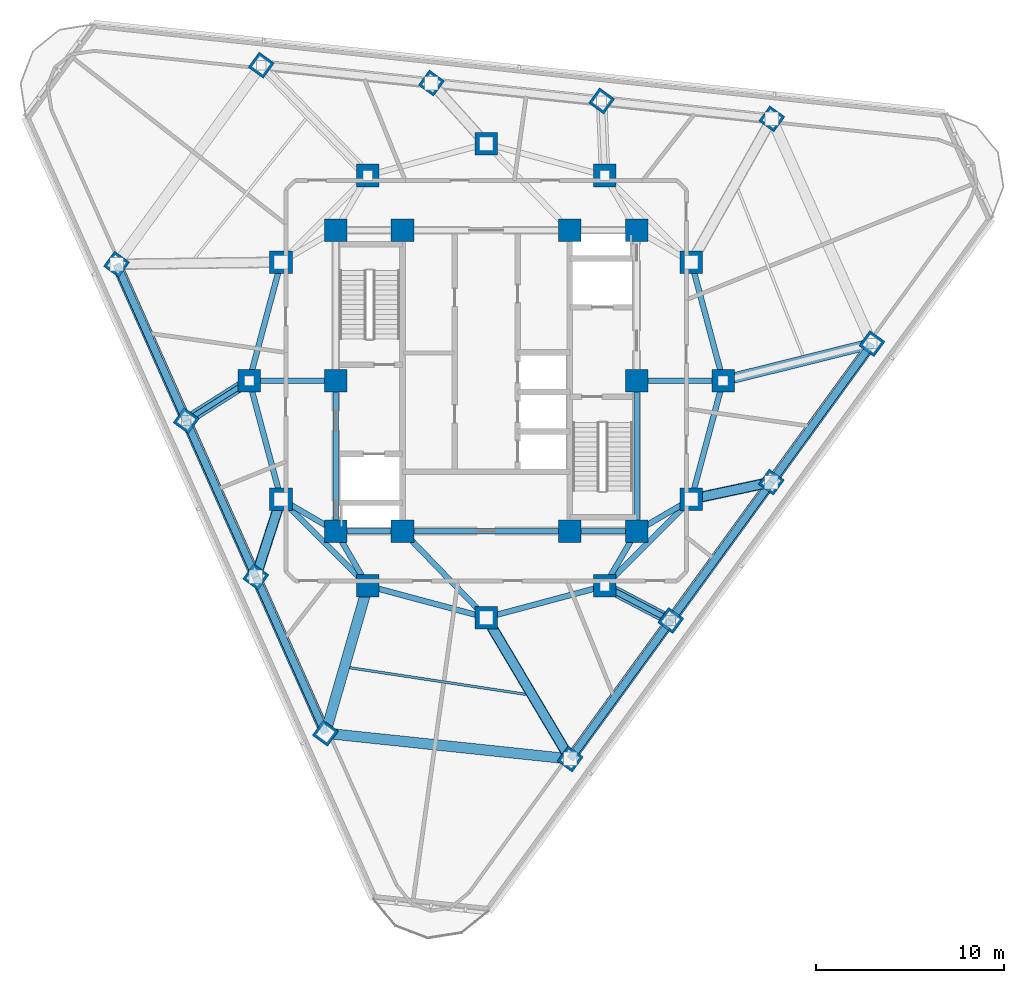
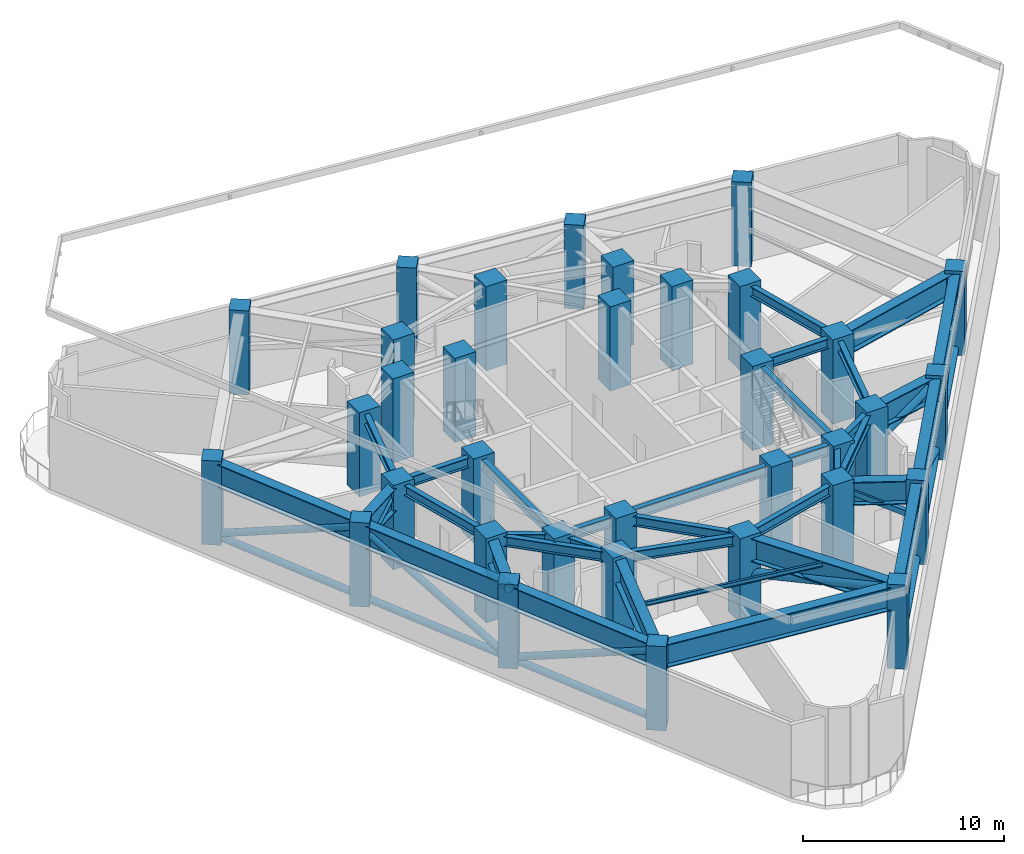
# One storey, part 1 of 10: 35 beams, 34 columns, 17 members.
"""IFC4 building model written with IfcOpenShell, lengths in metres."""

from ifc_helpers import new_model, si_unit, direction, frame, origin, origin_2d, place, context, subcontext, project, spatial, rectangle, hollow_rectangle, hollow_circle, i_section, extrude, material, material_profile, profile_set, type_object, element, save


model = new_model("IFC4")

# Units and contexts
model_context = context("Model", 3, precision=1e-05, world=origin(), true_north=direction((0.0, 1.0)))
body_context = subcontext(model_context, "Body", "Model", "MODEL_VIEW")
ifc_project = project(units=[si_unit("LENGTHUNIT", "METRE"), si_unit("AREAUNIT", "SQUARE_METRE"), si_unit("VOLUMEUNIT", "CUBIC_METRE"), si_unit("PLANEANGLEUNIT", "RADIAN"), si_unit("MASSUNIT", "GRAM", prefix="KILO")], contexts=[model_context])

# Site, building, storey
site_placement = place(None, origin())
site = spatial("IfcSite", under=ifc_project, at=site_placement, CompositionType="ELEMENT")
building_placement = place(site_placement, origin())
building = spatial("IfcBuilding", under=site, at=building_placement, Name="Terralouvre Media Tower", CompositionType="ELEMENT")
storey_placement = place(building_placement, frame((0.0, 0.0, 213.800048828125)))
storey = spatial("IfcBuildingStorey", under=building, at=storey_placement, Name="L55", CompositionType="ELEMENT", Elevation=213.800048828125)

# Columns
ifc_material_1 = material(Name="Concrete C50/60", Category="concrete")
ifc_material_profile_1 = material_profile(ifc_material_1, rectangle(XDim=1.0, YDim=1.0, at=origin_2d()), Name="RC 1000x1000")
ifc_profile_set_1 = profile_set([ifc_material_profile_1], Name="Concrete C50/60")
column_type_1 = type_object("IfcColumnType", Name="Structural Column C-RC1000 (RC 1000x1000)", PredefinedType="COLUMN", material=ifc_profile_set_1)
for number, where, z_axis, x_axis, name in (
    (1, (4.463623046875, -20.115478515625, 0.0), (0.0, 0.0, 1.0), (0.587785252292, 0.809016994375, 0.0), "L55 Perimeter Mega-Column PC11"),
    (2, (9.8125, -12.75341796875, 0.0), (0.0, 0.0, 1.0), (0.587785252292, 0.809016994375, 0.0), "L55 Perimeter Mega-Column PC12"),
    (3, (15.161376953125, -5.391357421875, 0.0), (0.0, 0.0, 1.0), (0.587785252292, 0.809016994375, 0.0), "L55 Perimeter Mega-Column PC13"),
    (4, (20.51025390625, 1.970703125, 0.0), (0.0, 0.0, 1.0), (0.587785252292, 0.809016994375, 0.0), "L55 Perimeter Mega-Column PC14"),
    (5, (15.1884765625, 13.92333984375, 0.0), (0.0, 0.0, 1.0), (0.587785252292, 0.809016994375, 0.0), "L55 Perimeter Mega-Column PC21"),
    (6, (6.138427734375, 14.87451171875, 0.0), (0.0, 0.0, 1.0), (0.587785252292, 0.809016994375, 0.0), "L55 Perimeter Mega-Column PC22"),
    (7, (-2.91162109375, 15.82568359375, 0.0), (0.0, 0.0, 1.0), (0.587785252292, 0.809016994375, 0.0), "L55 Perimeter Mega-Column PC23"),
    (8, (-11.9619140625, 16.77685546875, 0.0), (0.0, 0.0, 1.0), (0.587785252292, 0.809016994375, 0.0), "L55 Perimeter Mega-Column PC24"),
    (9, (-19.65234375, 6.192138671875, 0.0), (0.0, 0.0, 1.0), (0.587785252292, 0.809016994375, 0.0), "L55 Perimeter Mega-Column PC31"),
    (10, (-15.950927734375, -2.121337890625, 0.0), (0.0, 0.0, 1.0), (0.587785252292, 0.809016994375, 0.0), "L55 Perimeter Mega-Column PC32"),
    (11, (-12.249755859375, -10.4345703125, 0.0), (0.0, 0.0, 1.0), (0.587785252292, 0.809016994375, 0.0), "L55 Perimeter Mega-Column PC33"),
    (12, (-8.54833984375, -18.747802734375, 0.0), (0.0, 0.0, 1.0), (0.587785252292, 0.809016994375, 0.0), "L55 Perimeter Mega-Column PC34"),
):
    element("IfcColumn", number, at=place(storey_placement, frame(where, z_axis=z_axis, x_axis=x_axis)), inside=storey, type_object=column_type_1, Name=name, PredefinedType="COLUMN", context=body_context, shape_type="SweptSolid", body=[
        extrude(rectangle(XDim=1.0, YDim=1.0, at=origin_2d()), origin(), (0.0, 0.0, 1.0), 5.099853515625),
    ])
ifc_material_2 = material(Name="Concrete C60/75", Category="concrete")
ifc_material_profile_2 = material_profile(ifc_material_2, rectangle(XDim=1.199951171875, YDim=1.199951171875, at=origin_2d()), Name="RC 1200x1200")
ifc_profile_set_2 = profile_set([ifc_material_profile_2], Name="Concrete C60/75")
column_type_2 = type_object("IfcColumnType", Name="Structural Column C-RC1200 (RC 1200x1200)", PredefinedType="COLUMN", material=ifc_profile_set_2)
for number, where, z_axis, x_axis, name in (
    (13, (-8.0, -8.0, 0.0), (0.0, 0.0, 1.0), (1.0, 0.0, 0.0), "L55 Core Pilaster Column CP1"),
    (14, (-4.449951171875, -8.0, 0.0), (0.0, 0.0, 1.0), (1.0, 0.0, 0.0), "L55 Core Pilaster Column CP2"),
    (15, (4.449951171875, -8.0, 0.0), (0.0, 0.0, 1.0), (1.0, 0.0, 0.0), "L55 Core Pilaster Column CP10"),
    (16, (8.0, -8.0, 0.0), (0.0, 0.0, 1.0), (1.0, 0.0, 0.0), "L55 Core Pilaster Column CP3"),
    (17, (8.0, 0.0, 0.0), (0.0, 0.0, 1.0), (1.0, 0.0, 0.0), "L55 Core Pilaster Column CP4"),
    (18, (8.0, 8.0, 0.0), (0.0, 0.0, 1.0), (1.0, 0.0, 0.0), "L55 Core Pilaster Column CP5"),
    (19, (4.449951171875, 8.0, 0.0), (0.0, 0.0, 1.0), (1.0, 0.0, 0.0), "L55 Core Pilaster Column CP9"),
    (20, (-4.449951171875, 8.0, 0.0), (0.0, 0.0, 1.0), (1.0, 0.0, 0.0), "L55 Core Pilaster Column CP6"),
    (21, (-8.0, 8.0, 0.0), (0.0, 0.0, 1.0), (1.0, 0.0, 0.0), "L55 Core Pilaster Column CP7"),
    (22, (-8.0, 0.0, 0.0), (0.0, 0.0, 1.0), (1.0, 0.0, 0.0), "L55 Core Pilaster Column CP8"),
    (23, (12.60009765625, 0.0, 0.0), (0.0, 0.0, 1.0), (1.0, 0.0, 0.0), "L55 Mega-Frame Column MC01"),
    (24, (10.911865234375, 6.300048828125, 0.0), (0.0, 0.0, 1.0), (1.0, 0.0, 0.0), "L55 Mega-Frame Column MC02"),
    (25, (6.300048828125, 10.911865234375, 0.0), (0.0, 0.0, 1.0), (1.0, 0.0, 0.0), "L55 Mega-Frame Column MC03"),
    (26, (0.0, 12.60009765625, 0.0), (0.0, 0.0, 1.0), (1.0, 0.0, 0.0), "L55 Mega-Frame Column MC04"),
    (27, (-6.300048828125, 10.911865234375, 0.0), (0.0, 0.0, 1.0), (1.0, 0.0, 0.0), "L55 Mega-Frame Column MC05"),
    (28, (-10.911865234375, 6.300048828125, 0.0), (0.0, 0.0, 1.0), (1.0, 0.0, 0.0), "L55 Mega-Frame Column MC06"),
    (29, (-12.60009765625, 0.0, 0.0), (0.0, 0.0, 1.0), (1.0, 0.0, 0.0), "L55 Mega-Frame Column MC07"),
    (30, (-10.911865234375, -6.300048828125, 0.0), (0.0, 0.0, 1.0), (1.0, 0.0, 0.0), "L55 Mega-Frame Column MC08"),
    (31, (-6.300048828125, -10.911865234375, 0.0), (0.0, 0.0, 1.0), (1.0, 0.0, 0.0), "L55 Mega-Frame Column MC09"),
    (32, (0.0, -12.60009765625, 0.0), (0.0, 0.0, 1.0), (1.0, 0.0, 0.0), "L55 Mega-Frame Column MC10"),
    (33, (6.300048828125, -10.911865234375, 0.0), (0.0, 0.0, 1.0), (1.0, 0.0, 0.0), "L55 Mega-Frame Column MC11"),
    (34, (10.911865234375, -6.300048828125, 0.0), (0.0, 0.0, 1.0), (1.0, 0.0, 0.0), "L55 Mega-Frame Column MC12"),
):
    element("IfcColumn", number, at=place(storey_placement, frame(where, z_axis=z_axis, x_axis=x_axis)), inside=storey, type_object=column_type_2, Name=name, PredefinedType="COLUMN", context=body_context, shape_type="SweptSolid", body=[
        extrude(rectangle(XDim=1.199951171875, YDim=1.199951171875, at=origin_2d()), origin(), (0.0, 0.0, 1.0), 5.099853515625),
    ])

# Members
ifc_material_3 = material(Name="Structural steel S460M", Category="steel")
ifc_material_profile_3 = material_profile(ifc_material_3, hollow_circle(Radius=0.203125, WallThickness=0.02001953125, at=origin_2d()), Name="CHS 406.4x20")
ifc_profile_set_3 = profile_set([ifc_material_profile_3], Name="Structural steel S460M")
member_type_1 = type_object("IfcMemberType", Name="Belt and Outrigger Brace BR-CHS406 (CHS 406.4x20)", PredefinedType="BRACE", material=ifc_profile_set_3)
for number, where, z_axis, x_axis, name in (
    (35, (4.463623046875, -20.115478515625, 0.349853515625), (0.533682770176, 0.734547625845, 0.41907336611), (-0.809015590153, 0.587787185033, 0.0), "L55 Belt-Truss Diagonal Brace BT01"),
    (36, (9.8125, -12.75341796875, 4.550048828125), (0.533682770176, 0.734547625845, -0.41907336611), (-0.809015590153, 0.587787185033, 0.0), "L55 Belt-Truss Diagonal Brace BT02"),
    (37, (15.161376953125, -5.391357421875, 0.349853515625), (0.533682770176, 0.734547625845, 0.41907336611), (-0.809015590153, 0.587787185033, 0.0), "L55 Belt-Truss Diagonal Brace BT03"),
):
    element("IfcMember", number, at=place(storey_placement, frame(where, z_axis=z_axis, x_axis=x_axis)), inside=storey, type_object=member_type_1, Name=name, PredefinedType="BRACE", context=body_context, shape_type="SweptSolid", body=[
        extrude(hollow_circle(Radius=0.203125, WallThickness=0.02001953125, at=origin_2d()), origin(), (0.0, 0.0, 1.0), 10.0224609375),
    ])
member_1_placement = place(storey_placement, frame((-19.65234375, 6.192138671875, 0.349853515625), z_axis=(0.369300528749, -0.829458584853, 0.41906512081), x_axis=(0.913544731854, 0.406738273219, 0.0)))
element("IfcMember", 38, at=member_1_placement, inside=storey, type_object=member_type_1, Name="L55 Belt-Truss Diagonal Brace BT07", PredefinedType="BRACE", context=body_context, shape_type="SweptSolid", body=[
    extrude(hollow_circle(Radius=0.203125, WallThickness=0.02001953125, at=origin_2d()), origin(), (0.0, 0.0, 1.0), 10.022705078125),
])
for number, where, z_axis, x_axis, name in (
    (39, (-15.950927734375, -2.121337890625, 4.550048828125), (0.369286953308, -0.829458446379, -0.419077357831), (0.913550262211, 0.406725851667, 0.0), "L55 Belt-Truss Diagonal Brace BT08"),
    (40, (-12.249755859375, -10.4345703125, 0.349853515625), (0.369307990375, -0.829450984781, 0.419073587918), (0.913540293385, 0.40674824199, 0.0), "L55 Belt-Truss Diagonal Brace BT09"),
):
    element("IfcMember", number, at=place(storey_placement, frame(where, z_axis=z_axis, x_axis=x_axis)), inside=storey, type_object=member_type_1, Name=name, PredefinedType="BRACE", context=body_context, shape_type="SweptSolid", body=[
        extrude(hollow_circle(Radius=0.203125, WallThickness=0.02001953125, at=origin_2d()), origin(), (0.0, 0.0, 1.0), 10.0224609375),
    ])
ifc_material_4 = material(Name="Structural steel S460M", Category="steel")
ifc_material_profile_4 = material_profile(ifc_material_4, hollow_circle(Radius=0.25390625, WallThickness=0.02490234375, at=origin_2d()), Name="CHS 508x25")
ifc_profile_set_4 = profile_set([ifc_material_profile_4], Name="Structural steel S460M")
member_type_2 = type_object("IfcMemberType", Name="Belt and Outrigger Brace BR-CHS508 (CHS 508x25)", PredefinedType="BRACE", material=ifc_profile_set_4)
member_2_placement = place(storey_placement, frame((0.0, -12.60009765625, 2.550048828125), z_axis=(0.497790159186, -0.838126919555, 0.223043099275), x_axis=(0.859786149942, 0.510654263047, 0.0)))
element("IfcMember", 41, at=member_2_placement, inside=storey, type_object=member_type_2, Name="L55 Outrigger Diagonal Brace OR01", PredefinedType="BRACE", context=body_context, shape_type="SweptSolid", body=[
    extrude(hollow_circle(Radius=0.25390625, WallThickness=0.02490234375, at=origin_2d()), origin(), (0.0, 0.0, 1.0), 8.966796875),
])
for number, where, z_axis, x_axis, name in (
    (42, (10.911865234375, -6.300048828125, 2.550048828125), (0.888326050614, 0.189954588095, 0.418083822052), (-0.209107023871, 0.977892761282, 0.0), "L55 Outrigger Diagonal Brace OR02"),
    (43, (-10.911865234375, -6.300048828125, 2.550048828125), (-0.279674300612, -0.864285452713, 0.418082458141), (0.951427579183, -0.307872638555, 0.0), "L55 Outrigger Diagonal Brace OR06"),
):
    element("IfcMember", number, at=place(storey_placement, frame(where, z_axis=z_axis, x_axis=x_axis)), inside=storey, type_object=member_type_2, Name=name, PredefinedType="BRACE", context=body_context, shape_type="SweptSolid", body=[
        extrude(hollow_circle(Radius=0.25390625, WallThickness=0.02490234375, at=origin_2d()), origin(), (0.0, 0.0, 1.0), 4.78369140625),
    ])

# Beam
ifc_material_5 = material(Name="Structural steel S355J2", Category="steel")
ifc_material_profile_5 = material_profile(ifc_material_5, i_section(OverallWidth=0.135009765625, OverallDepth=0.27001953125, WebThickness=0.006591796875, FlangeThickness=0.01025390625, at=origin_2d()), Name="IPE 270")
ifc_profile_set_5 = profile_set([ifc_material_profile_5], Name="Structural steel S355J2")
beam_type_1 = type_object("IfcBeamType", Name="Composite Floor Joist J-IPE270 (IPE 270)", PredefinedType="JOIST", material=ifc_profile_set_5)
beam_1_placement = place(storey_placement, frame((-7.25927734375, -15.263671875, 4.764892578125), z_axis=(0.988745585287, -0.149606709659, 0.0), x_axis=(0.149606709659, 0.988745585287, 0.0)))
element("IfcBeam", 44, at=beam_1_placement, inside=storey, type_object=beam_type_1, Name="L55 Framing Beam JT-L55-01", PredefinedType="JOIST", context=body_context, shape_type="SweptSolid", body=[
    extrude(i_section(OverallWidth=0.135009765625, OverallDepth=0.27001953125, WebThickness=0.006591796875, FlangeThickness=0.01025390625, at=origin_2d()), origin(), (0.0, 0.0, 1.0), 9.46484375),
])

# Members
ifc_material_6 = material(Name="Structural steel S355J2", Category="steel")
ifc_material_profile_6 = material_profile(ifc_material_6, hollow_circle(Radius=0.136474609375, WallThickness=0.012451171875, at=origin_2d()), Name="CHS 273x12.5")
ifc_profile_set_6 = profile_set([ifc_material_profile_6], Name="Structural steel S355J2")
member_type_3 = type_object("IfcMemberType", Name="Portal Knee-Brace Strut ST-CHS273 (CHS 273x12.5)", PredefinedType="STRUT", material=ifc_profile_set_6)
member_3_placement = place(storey_placement, frame((-12.60009765625, 0.0, 4.550048828125), z_axis=(-0.754413360958, -0.477602746329, -0.450284462876), x_axis=(0.534898293373, -0.844916454891, 0.0)))
element("IfcMember", 45, at=member_3_placement, inside=storey, type_object=member_type_3, Name="L55 Refuge Outrigger Knee-Brace Strut 15", PredefinedType="STRUT", context=body_context, shape_type="SweptSolid", body=[
    extrude(hollow_circle(Radius=0.136474609375, WallThickness=0.012451171875, at=origin_2d()), origin(), (0.0, 0.0, 1.0), 4.441650390625),
])
ifc_material_7 = material(Name="Structural steel S355J2", Category="steel")
ifc_material_profile_7 = material_profile(ifc_material_7, hollow_rectangle(XDim=0.300048828125, YDim=0.300048828125, WallThickness=0.01611328125, at=origin_2d()), Name="SHS 300x300x16")
ifc_profile_set_7 = profile_set([ifc_material_profile_7], Name="Structural steel S355J2")
member_type_4 = type_object("IfcMemberType", Name="Portal Knee-Brace Strut ST-SHS300 (SHS 300x300x16)", PredefinedType="STRUT", material=ifc_profile_set_7)
member_4_placement = place(storey_placement, frame((6.300048828125, -10.911865234375, 4.550048828125), z_axis=(0.790791212906, -0.414606111, -0.45027883618), x_axis=(0.464342799794, 0.885655556229, 0.0)))
element("IfcMember", 46, at=member_4_placement, inside=storey, type_object=member_type_4, Name="L55 Refuge Outrigger Knee-Brace Strut 11", PredefinedType="STRUT", context=body_context, shape_type="SweptSolid", body=[
    extrude(hollow_rectangle(XDim=0.300048828125, YDim=0.300048828125, WallThickness=0.01611328125, at=origin_2d()), origin(), (0.0, 0.0, 1.0), 4.441650390625),
])

# Beams
ifc_material_8 = material(Name="Structural steel S460M", Category="steel")
ifc_material_profile_8 = material_profile(ifc_material_8, i_section(OverallWidth=0.300048828125, OverallDepth=0.60009765625, WebThickness=0.015380859375, FlangeThickness=0.030029296875, at=origin_2d()), Name="HEB 600")
ifc_profile_set_8 = profile_set([ifc_material_profile_8], Name="Structural steel S460M")
beam_type_2 = type_object("IfcBeamType", Name="Primary Floor Girder B-HEB600 (HEB 600)", PredefinedType="BEAM", material=ifc_profile_set_8)
beam_2_placement = place(storey_placement, frame((-8.0, -8.0, 4.599853515625), z_axis=(1.0, 0.0, 0.0), x_axis=(0.0, 1.0, 0.0)))
element("IfcBeam", 47, at=beam_2_placement, inside=storey, type_object=beam_type_2, Name="L55 Framing Beam BM-L55-CPR01", PredefinedType="BEAM", context=body_context, shape_type="SweptSolid", body=[
    extrude(i_section(OverallWidth=0.300048828125, OverallDepth=0.60009765625, WebThickness=0.015380859375, FlangeThickness=0.030029296875, at=origin_2d()), origin(), (0.0, 0.0, 1.0), 3.550048828125),
])
beam_3_placement = place(storey_placement, frame((-4.449951171875, -8.0, 4.599853515625), z_axis=(1.0, 0.0, 0.0), x_axis=(0.0, 1.0, 0.0)))
element("IfcBeam", 48, at=beam_3_placement, inside=storey, type_object=beam_type_2, Name="L55 Framing Beam BM-L55-CPR02", PredefinedType="BEAM", context=body_context, shape_type="SweptSolid", body=[
    extrude(i_section(OverallWidth=0.300048828125, OverallDepth=0.60009765625, WebThickness=0.015380859375, FlangeThickness=0.030029296875, at=origin_2d()), origin(), (0.0, 0.0, 1.0), 8.89990234375),
])
beam_4_placement = place(storey_placement, frame((4.449951171875, -8.0, 4.599853515625), z_axis=(1.0, 0.0, 0.0), x_axis=(0.0, 1.0, 0.0)))
element("IfcBeam", 49, at=beam_4_placement, inside=storey, type_object=beam_type_2, Name="L55 Framing Beam BM-L55-CPR03", PredefinedType="BEAM", context=body_context, shape_type="SweptSolid", body=[
    extrude(i_section(OverallWidth=0.300048828125, OverallDepth=0.60009765625, WebThickness=0.015380859375, FlangeThickness=0.030029296875, at=origin_2d()), origin(), (0.0, 0.0, 1.0), 3.550048828125),
])
for number, where, z_axis, x_axis, name in (
    (50, (8.0, -8.0, 4.599853515625), (0.0, 1.0, 0.0), (-1.0, 0.0, 0.0), "L55 Framing Beam BM-L55-CPR04"),
    (51, (-8.0, 0.0, 4.599853515625), (0.0, -1.0, 0.0), (1.0, 0.0, 0.0), "L55 Framing Beam BM-L55-CPR10"),
):
    element("IfcBeam", number, at=place(storey_placement, frame(where, z_axis=z_axis, x_axis=x_axis)), inside=storey, type_object=beam_type_2, Name=name, PredefinedType="BEAM", context=body_context, shape_type="SweptSolid", body=[
        extrude(i_section(OverallWidth=0.300048828125, OverallDepth=0.60009765625, WebThickness=0.015380859375, FlangeThickness=0.030029296875, at=origin_2d()), origin(), (0.0, 0.0, 1.0), 8.0),
    ])
beam_5_placement = place(storey_placement, frame((-10.911865234375, -6.300048828125, 4.599853515625), z_axis=(0.707106781187, -0.707106781187, 0.0), x_axis=(0.707106781187, 0.707106781187, 0.0)))
element("IfcBeam", 52, at=beam_5_placement, inside=storey, type_object=beam_type_2, Name="L55 Framing Beam BM-L55-MR01", PredefinedType="BEAM", context=body_context, shape_type="SweptSolid", body=[
    extrude(i_section(OverallWidth=0.300048828125, OverallDepth=0.60009765625, WebThickness=0.015380859375, FlangeThickness=0.030029296875, at=origin_2d()), origin(), (0.0, 0.0, 1.0), 6.52197265625),
])
for number, where, z_axis, x_axis, name in (
    (53, (-6.300048828125, -10.911865234375, 4.599853515625), (0.965920481897, -0.258838989821, 0.0), (0.258838989821, 0.965920481897, 0.0), "L55 Framing Beam BM-L55-MR02"),
    (54, (0.0, -12.60009765625, 4.599853515625), (0.965920481897, 0.258838989821, 0.0), (-0.258838989821, 0.965920481897, 0.0), "L55 Framing Beam BM-L55-MR03"),
):
    element("IfcBeam", number, at=place(storey_placement, frame(where, z_axis=z_axis, x_axis=x_axis)), inside=storey, type_object=beam_type_2, Name=name, PredefinedType="BEAM", context=body_context, shape_type="SweptSolid", body=[
        extrude(i_section(OverallWidth=0.300048828125, OverallDepth=0.60009765625, WebThickness=0.015380859375, FlangeThickness=0.030029296875, at=origin_2d()), origin(), (0.0, 0.0, 1.0), 6.522216796875),
    ])
beam_6_placement = place(storey_placement, frame((6.300048828125, -10.911865234375, 4.599853515625), z_axis=(0.707106781187, 0.707106781187, 0.0), x_axis=(-0.707106781187, 0.707106781187, 0.0)))
element("IfcBeam", 55, at=beam_6_placement, inside=storey, type_object=beam_type_2, Name="L55 Framing Beam BM-L55-MR04", PredefinedType="BEAM", context=body_context, shape_type="SweptSolid", body=[
    extrude(i_section(OverallWidth=0.300048828125, OverallDepth=0.60009765625, WebThickness=0.015380859375, FlangeThickness=0.030029296875, at=origin_2d()), origin(), (0.0, 0.0, 1.0), 6.52197265625),
])
for number, where, z_axis, x_axis, name in (
    (56, (10.911865234375, -6.300048828125, 4.599853515625), (0.258838989821, 0.965920481897, 0.0), (-0.965920481897, 0.258838989821, 0.0), "L55 Framing Beam BM-L55-MR05"),
    (57, (12.60009765625, 0.0, 4.599853515625), (-0.258838989821, 0.965920481897, 0.0), (-0.965920481897, -0.258838989821, 0.0), "L55 Framing Beam BM-L55-MR06"),
    (58, (-10.911865234375, 6.300048828125, 4.599853515625), (-0.258838989821, -0.965920481897, 0.0), (0.965920481897, -0.258838989821, 0.0), "L55 Framing Beam BM-L55-MR11"),
    (59, (-12.60009765625, 0.0, 4.599853515625), (0.258838989821, -0.965920481897, 0.0), (0.965920481897, 0.258838989821, 0.0), "L55 Framing Beam BM-L55-MR12"),
):
    element("IfcBeam", number, at=place(storey_placement, frame(where, z_axis=z_axis, x_axis=x_axis)), inside=storey, type_object=beam_type_2, Name=name, PredefinedType="BEAM", context=body_context, shape_type="SweptSolid", body=[
        extrude(i_section(OverallWidth=0.300048828125, OverallDepth=0.60009765625, WebThickness=0.015380859375, FlangeThickness=0.030029296875, at=origin_2d()), origin(), (0.0, 0.0, 1.0), 6.522216796875),
    ])
for number, where, z_axis, x_axis, name in (
    (60, (-8.0, -8.0, 4.599853515625), (-0.863602894532, 0.504172629717, 0.0), (-0.504172629717, -0.863602894532, 0.0), "L55 Framing Beam BM-L55-CM01"),
    (61, (-8.0, -8.0, 4.599853515625), (0.504172629717, -0.863602894532, 0.0), (0.863602894532, 0.504172629717, 0.0), "L55 Framing Beam BM-L55-CM02"),
):
    element("IfcBeam", number, at=place(storey_placement, frame(where, z_axis=z_axis, x_axis=x_axis)), inside=storey, type_object=beam_type_2, Name=name, PredefinedType="BEAM", context=body_context, shape_type="SweptSolid", body=[
        extrude(i_section(OverallWidth=0.300048828125, OverallDepth=0.60009765625, WebThickness=0.015380859375, FlangeThickness=0.030029296875, at=origin_2d()), origin(), (0.0, 0.0, 1.0), 3.371826171875),
    ])
beam_7_placement = place(storey_placement, frame((-4.449951171875, -8.0, 4.599853515625), z_axis=(0.695279715726, -0.718739255155, 0.0), x_axis=(0.718739255155, 0.695279715726, 0.0)))
element("IfcBeam", 62, at=beam_7_placement, inside=storey, type_object=beam_type_2, Name="L55 Framing Beam BM-L55-CM03", PredefinedType="BEAM", context=body_context, shape_type="SweptSolid", body=[
    extrude(i_section(OverallWidth=0.300048828125, OverallDepth=0.60009765625, WebThickness=0.015380859375, FlangeThickness=0.030029296875, at=origin_2d()), origin(), (0.0, 0.0, 1.0), 6.400146484375),
])
for number, where, z_axis, x_axis, name in (
    (63, (8.0, -8.0, 4.599853515625), (-0.504172629717, -0.863602894532, 0.0), (0.863602894532, -0.504172629717, 0.0), "L55 Framing Beam BM-L55-CM04"),
    (64, (8.0, -8.0, 4.599853515625), (0.863602894532, 0.504172629717, 0.0), (-0.504172629717, 0.863602894532, 0.0), "L55 Framing Beam BM-L55-CM05"),
):
    element("IfcBeam", number, at=place(storey_placement, frame(where, z_axis=z_axis, x_axis=x_axis)), inside=storey, type_object=beam_type_2, Name=name, PredefinedType="BEAM", context=body_context, shape_type="SweptSolid", body=[
        extrude(i_section(OverallWidth=0.300048828125, OverallDepth=0.60009765625, WebThickness=0.015380859375, FlangeThickness=0.030029296875, at=origin_2d()), origin(), (0.0, 0.0, 1.0), 3.371826171875),
    ])
for number, where, z_axis, x_axis, name in (
    (65, (8.0, 0.0, 4.599853515625), (1.0, 0.0, 0.0), (0.0, 1.0, 0.0), "L55 Framing Beam BM-L55-CM06"),
    (66, (-8.0, 0.0, 4.599853515625), (-1.0, 0.0, 0.0), (0.0, -1.0, 0.0), "L55 Framing Beam BM-L55-CM12"),
):
    element("IfcBeam", number, at=place(storey_placement, frame(where, z_axis=z_axis, x_axis=x_axis)), inside=storey, type_object=beam_type_2, Name=name, PredefinedType="BEAM", context=body_context, shape_type="SweptSolid", body=[
        extrude(i_section(OverallWidth=0.300048828125, OverallDepth=0.60009765625, WebThickness=0.015380859375, FlangeThickness=0.030029296875, at=origin_2d()), origin(), (0.0, 0.0, 1.0), 4.60009765625),
    ])

# Members
ifc_material_9 = material(Name="Structural steel S460M", Category="steel")
ifc_material_profile_9 = material_profile(ifc_material_9, hollow_circle(Radius=0.203125, WallThickness=0.02001953125, at=origin_2d()), Name="CHS 406.4x20")
ifc_profile_set_9 = profile_set([ifc_material_profile_9], Name="Structural steel S460M")
member_type_5 = type_object("IfcMemberType", Name="Truss Chord Member CH-CHS406 (CHS 406.4x20)", PredefinedType="CHORD", material=ifc_profile_set_9)
for number, where, z_axis, x_axis, name in (
    (67, (4.463623046875, -20.115478515625, 0.349853515625), (0.587787185033, 0.809015590153, 0.0), (-0.809015590153, 0.587787185033, 0.0), "L55 Belt-Truss Bottom Chord 01"),
    (68, (9.8125, -12.75341796875, 0.349853515625), (0.587787185033, 0.809015590153, 0.0), (-0.809015590153, 0.587787185033, 0.0), "L55 Belt-Truss Bottom Chord 02"),
    (69, (15.161376953125, -5.391357421875, 0.349853515625), (0.587787185033, 0.809015590153, 0.0), (-0.809015590153, 0.587787185033, 0.0), "L55 Belt-Truss Bottom Chord 03"),
):
    element("IfcMember", number, at=place(storey_placement, frame(where, z_axis=z_axis, x_axis=x_axis)), inside=storey, type_object=member_type_5, Name=name, PredefinedType="CHORD", context=body_context, shape_type="SweptSolid", body=[
        extrude(hollow_circle(Radius=0.203125, WallThickness=0.02001953125, at=origin_2d()), origin(), (0.0, 0.0, 1.0), 9.10009765625),
    ])
member_5_placement = place(storey_placement, frame((-19.65234375, 6.192138671875, 0.349853515625), z_axis=(0.406738273219, -0.913544731854, 0.0), x_axis=(0.913544731854, 0.406738273219, 0.0)))
element("IfcMember", 70, at=member_5_placement, inside=storey, type_object=member_type_5, Name="L55 Belt-Truss Bottom Chord 07", PredefinedType="CHORD", context=body_context, shape_type="SweptSolid", body=[
    extrude(hollow_circle(Radius=0.203125, WallThickness=0.02001953125, at=origin_2d()), origin(), (0.0, 0.0, 1.0), 9.100341796875),
])
member_6_placement = place(storey_placement, frame((-15.950927734375, -2.121337890625, 0.349853515625), z_axis=(0.406725851667, -0.913550262211, 0.0), x_axis=(0.913550262211, 0.406725851667, 0.0)))
element("IfcMember", 71, at=member_6_placement, inside=storey, type_object=member_type_5, Name="L55 Belt-Truss Bottom Chord 08", PredefinedType="CHORD", context=body_context, shape_type="SweptSolid", body=[
    extrude(hollow_circle(Radius=0.203125, WallThickness=0.02001953125, at=origin_2d()), origin(), (0.0, 0.0, 1.0), 9.099853515625),
])
member_7_placement = place(storey_placement, frame((-12.249755859375, -10.4345703125, 0.349853515625), z_axis=(0.40674824199, -0.913540293385, 0.0), x_axis=(0.913540293385, 0.40674824199, 0.0)))
element("IfcMember", 72, at=member_7_placement, inside=storey, type_object=member_type_5, Name="L55 Belt-Truss Bottom Chord 09", PredefinedType="CHORD", context=body_context, shape_type="SweptSolid", body=[
    extrude(hollow_circle(Radius=0.203125, WallThickness=0.02001953125, at=origin_2d()), origin(), (0.0, 0.0, 1.0), 9.10009765625),
])

# Beams
ifc_material_10 = material(Name="Structural steel S460M", Category="steel")
ifc_material_profile_10 = material_profile(ifc_material_10, i_section(OverallWidth=0.56005859375, OverallDepth=1.39990234375, WebThickness=0.031982421875, FlangeThickness=0.050048828125, at=origin_2d()), Name="TG 1400x560")
ifc_profile_set_10 = profile_set([ifc_material_profile_10], Name="Structural steel S460M")
beam_type_3 = type_object("IfcBeamType", Name="Welded Transfer Girder TG-1400 (TG 1400x560)", PredefinedType="USERDEFINED", material=ifc_profile_set_10)
beam_8_placement = place(storey_placement, frame((-15.950927734375, -2.121337890625, 4.199951171875), z_axis=(0.406725851667, -0.913550262211, 0.0), x_axis=(0.913550262211, 0.406725851667, 0.0)))
element("IfcBeam", 73, at=beam_8_placement, inside=storey, type_object=beam_type_3, Name="L55 Framing Beam BM-L55-PR01", ObjectType="TRANSFER GIRDER", PredefinedType="USERDEFINED", context=body_context, shape_type="SweptSolid", body=[
    extrude(i_section(OverallWidth=0.56005859375, OverallDepth=1.39990234375, WebThickness=0.031982421875, FlangeThickness=0.050048828125, at=origin_2d()), origin(), (0.0, 0.0, 1.0), 9.099853515625),
])
beam_9_placement = place(storey_placement, frame((-12.249755859375, -10.4345703125, 4.199951171875), z_axis=(0.40674824199, -0.913540293385, 0.0), x_axis=(0.913540293385, 0.40674824199, 0.0)))
element("IfcBeam", 74, at=beam_9_placement, inside=storey, type_object=beam_type_3, Name="L55 Framing Beam BM-L55-PR02", ObjectType="TRANSFER GIRDER", PredefinedType="USERDEFINED", context=body_context, shape_type="SweptSolid", body=[
    extrude(i_section(OverallWidth=0.56005859375, OverallDepth=1.39990234375, WebThickness=0.031982421875, FlangeThickness=0.050048828125, at=origin_2d()), origin(), (0.0, 0.0, 1.0), 9.10009765625),
])
beam_10_placement = place(storey_placement, frame((-8.54833984375, -18.747802734375, 4.199951171875), z_axis=(0.994521391833, -0.104533253974, 0.0), x_axis=(0.104533253974, 0.994521391833, 0.0)))
element("IfcBeam", 75, at=beam_10_placement, inside=storey, type_object=beam_type_3, Name="L55 Framing Beam BM-L55-PR03", ObjectType="TRANSFER GIRDER", PredefinedType="USERDEFINED", context=body_context, shape_type="SweptSolid", body=[
    extrude(i_section(OverallWidth=0.56005859375, OverallDepth=1.39990234375, WebThickness=0.031982421875, FlangeThickness=0.050048828125, at=origin_2d()), origin(), (0.0, 0.0, 1.0), 13.083740234375),
])
for number, where, z_axis, x_axis, name in (
    (76, (4.463623046875, -20.115478515625, 4.199951171875), (0.587787185033, 0.809015590153, 0.0), (-0.809015590153, 0.587787185033, 0.0), "L55 Framing Beam BM-L55-PR04"),
    (77, (9.8125, -12.75341796875, 4.199951171875), (0.587787185033, 0.809015590153, 0.0), (-0.809015590153, 0.587787185033, 0.0), "L55 Framing Beam BM-L55-PR05"),
    (78, (15.161376953125, -5.391357421875, 4.199951171875), (0.587787185033, 0.809015590153, 0.0), (-0.809015590153, 0.587787185033, 0.0), "L55 Framing Beam BM-L55-PR06"),
):
    element("IfcBeam", number, at=place(storey_placement, frame(where, z_axis=z_axis, x_axis=x_axis)), inside=storey, type_object=beam_type_3, Name=name, ObjectType="TRANSFER GIRDER", PredefinedType="USERDEFINED", context=body_context, shape_type="SweptSolid", body=[
        extrude(i_section(OverallWidth=0.56005859375, OverallDepth=1.39990234375, WebThickness=0.031982421875, FlangeThickness=0.050048828125, at=origin_2d()), origin(), (0.0, 0.0, 1.0), 9.10009765625),
    ])
beam_11_placement = place(storey_placement, frame((-19.65234375, 6.192138671875, 4.199951171875), z_axis=(0.406738273219, -0.913544731854, 0.0), x_axis=(0.913544731854, 0.406738273219, 0.0)))
element("IfcBeam", 79, at=beam_11_placement, inside=storey, type_object=beam_type_3, Name="L55 Framing Beam BM-L55-PR12", ObjectType="TRANSFER GIRDER", PredefinedType="USERDEFINED", context=body_context, shape_type="SweptSolid", body=[
    extrude(i_section(OverallWidth=0.56005859375, OverallDepth=1.39990234375, WebThickness=0.031982421875, FlangeThickness=0.050048828125, at=origin_2d()), origin(), (0.0, 0.0, 1.0), 9.100341796875),
])
beam_12_placement = place(storey_placement, frame((-12.60009765625, 0.0, 4.199951171875), z_axis=(-0.844916454891, -0.534898293373, 0.0), x_axis=(0.534898293373, -0.844916454891, 0.0)))
element("IfcBeam", 80, at=beam_12_placement, inside=storey, type_object=beam_type_3, Name="L55 Framing Beam BM-L55-RD01", ObjectType="TRANSFER GIRDER", PredefinedType="USERDEFINED", context=body_context, shape_type="SweptSolid", body=[
    extrude(i_section(OverallWidth=0.56005859375, OverallDepth=1.39990234375, WebThickness=0.031982421875, FlangeThickness=0.050048828125, at=origin_2d()), origin(), (0.0, 0.0, 1.0), 3.9658203125),
])
beam_13_placement = place(storey_placement, frame((-10.911865234375, -6.300048828125, 4.199951171875), z_axis=(-0.307872638555, -0.951427579183, 0.0), x_axis=(0.951427579183, -0.307872638555, 0.0)))
element("IfcBeam", 81, at=beam_13_placement, inside=storey, type_object=beam_type_3, Name="L55 Framing Beam BM-L55-RD02", ObjectType="TRANSFER GIRDER", PredefinedType="USERDEFINED", context=body_context, shape_type="SweptSolid", body=[
    extrude(i_section(OverallWidth=0.56005859375, OverallDepth=1.39990234375, WebThickness=0.031982421875, FlangeThickness=0.050048828125, at=origin_2d()), origin(), (0.0, 0.0, 1.0), 4.345703125),
])
beam_14_placement = place(storey_placement, frame((-6.300048828125, -10.911865234375, 4.199951171875), z_axis=(-0.275792876342, -0.96121708753, 0.0), x_axis=(0.96121708753, -0.275792876342, 0.0)))
element("IfcBeam", 82, at=beam_14_placement, inside=storey, type_object=beam_type_3, Name="L55 Framing Beam BM-L55-RD03", ObjectType="TRANSFER GIRDER", PredefinedType="USERDEFINED", context=body_context, shape_type="SweptSolid", body=[
    extrude(i_section(OverallWidth=0.56005859375, OverallDepth=1.39990234375, WebThickness=0.031982421875, FlangeThickness=0.050048828125, at=origin_2d()), origin(), (0.0, 0.0, 1.0), 8.152099609375),
])
beam_15_placement = place(storey_placement, frame((0.0, -12.60009765625, 4.199951171875), z_axis=(0.510654263047, -0.859786149942, 0.0), x_axis=(0.859786149942, 0.510654263047, 0.0)))
element("IfcBeam", 83, at=beam_15_placement, inside=storey, type_object=beam_type_3, Name="L55 Framing Beam BM-L55-RD04", ObjectType="TRANSFER GIRDER", PredefinedType="USERDEFINED", context=body_context, shape_type="SweptSolid", body=[
    extrude(i_section(OverallWidth=0.56005859375, OverallDepth=1.39990234375, WebThickness=0.031982421875, FlangeThickness=0.050048828125, at=origin_2d()), origin(), (0.0, 0.0, 1.0), 8.740966796875),
])
beam_16_placement = place(storey_placement, frame((6.300048828125, -10.911865234375, 4.199951171875), z_axis=(0.885655556229, -0.464342799794, 0.0), x_axis=(0.464342799794, 0.885655556229, 0.0)))
element("IfcBeam", 84, at=beam_16_placement, inside=storey, type_object=beam_type_3, Name="L55 Framing Beam BM-L55-RD05", ObjectType="TRANSFER GIRDER", PredefinedType="USERDEFINED", context=body_context, shape_type="SweptSolid", body=[
    extrude(i_section(OverallWidth=0.56005859375, OverallDepth=1.39990234375, WebThickness=0.031982421875, FlangeThickness=0.050048828125, at=origin_2d()), origin(), (0.0, 0.0, 1.0), 3.9658203125),
])
beam_17_placement = place(storey_placement, frame((10.911865234375, -6.300048828125, 4.199951171875), z_axis=(0.977892761282, 0.209107023871, 0.0), x_axis=(-0.209107023871, 0.977892761282, 0.0)))
element("IfcBeam", 85, at=beam_17_placement, inside=storey, type_object=beam_type_3, Name="L55 Framing Beam BM-L55-RD06", ObjectType="TRANSFER GIRDER", PredefinedType="USERDEFINED", context=body_context, shape_type="SweptSolid", body=[
    extrude(i_section(OverallWidth=0.56005859375, OverallDepth=1.39990234375, WebThickness=0.031982421875, FlangeThickness=0.050048828125, at=origin_2d()), origin(), (0.0, 0.0, 1.0), 4.345458984375),
])
beam_18_placement = place(storey_placement, frame((12.60009765625, 0.0, 4.199951171875), z_axis=(0.970339488521, 0.24174630714, 0.0), x_axis=(-0.24174630714, 0.970339488521, 0.0)))
element("IfcBeam", 86, at=beam_18_placement, inside=storey, type_object=beam_type_3, Name="L55 Framing Beam BM-L55-RD07", ObjectType="TRANSFER GIRDER", PredefinedType="USERDEFINED", context=body_context, shape_type="SweptSolid", body=[
    extrude(i_section(OverallWidth=0.56005859375, OverallDepth=1.39990234375, WebThickness=0.031982421875, FlangeThickness=0.050048828125, at=origin_2d()), origin(), (0.0, 0.0, 1.0), 8.15185546875),
])

save(model, "model.ifc")
